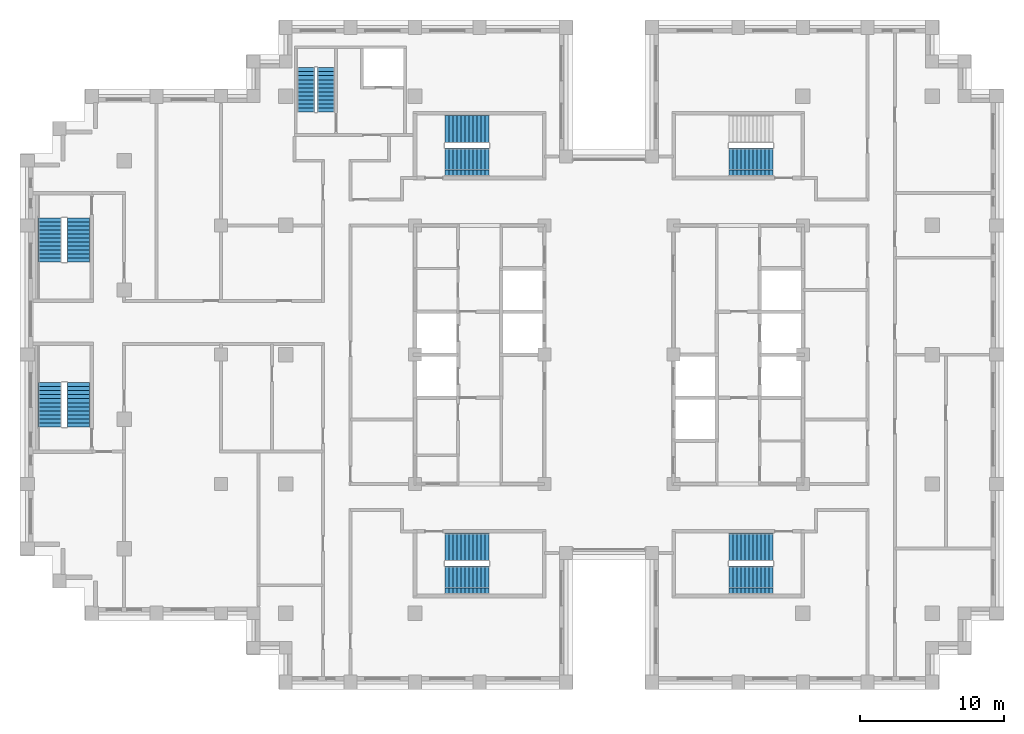
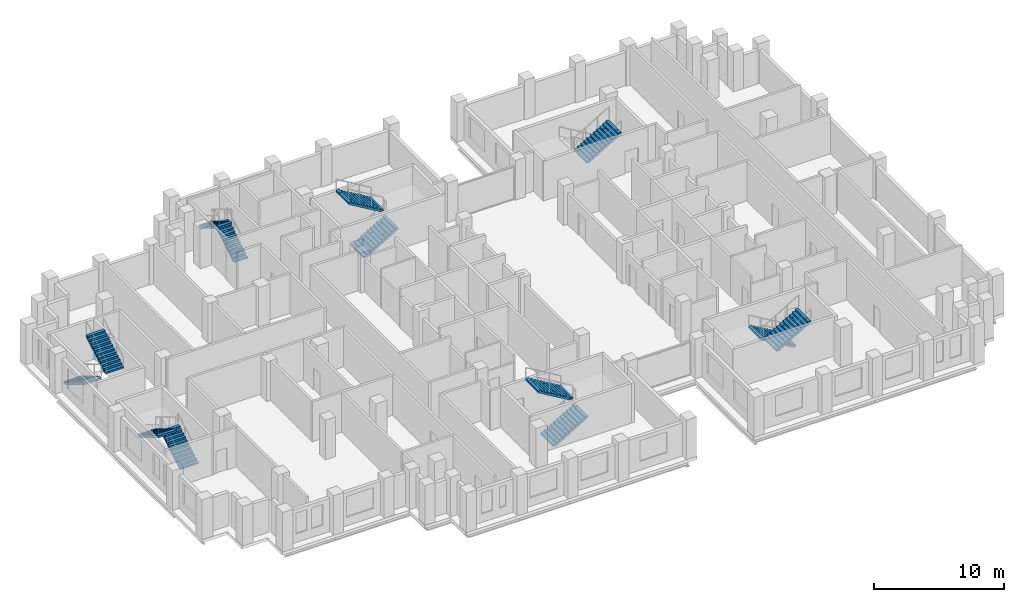
# One storey, part 12 of 15: 13 stair flights, 7 elements without a shape of their own.
"""IFC4 building model written with IfcOpenShell, lengths in metres."""

from ifc_helpers import new_model, si_unit, direction, frame, origin, place, context, subcontext, project, spatial, polyline, outline, extrude, material, type_object, element, aggregate, save


model = new_model("IFC4")

# Units and contexts
model_context = context("Model", 3, precision=1e-05, world=origin(), true_north=direction((0.0, 1.0)))
body_context = subcontext(model_context, "Body", "Model", "MODEL_VIEW")
ifc_project = project(units=[si_unit("LENGTHUNIT", "METRE"), si_unit("AREAUNIT", "SQUARE_METRE"), si_unit("VOLUMEUNIT", "CUBIC_METRE"), si_unit("PLANEANGLEUNIT", "RADIAN"), si_unit("MASSUNIT", "GRAM", prefix="KILO")], contexts=[model_context])

# Site, building, storey
site_placement = place(None, origin())
site = spatial("IfcSite", under=ifc_project, at=site_placement, CompositionType="ELEMENT")
building_placement = place(site_placement, origin())
building = spatial("IfcBuilding", under=site, at=building_placement, Name="Corbelhall Arena Tower", CompositionType="ELEMENT")
storey_placement = place(building_placement, frame((0.0, 0.0, 188.0)))
storey = spatial("IfcBuildingStorey", under=building, at=storey_placement, Name="L38", CompositionType="ELEMENT", Elevation=188.0)

# Stair, stair flights
ifc_material = material(Name="Concrete C40/50", Category="concrete")
stair_type = type_object("IfcStairType", Name="IN-ST-TOWER", PredefinedType="HALF_TURN_STAIR", material=ifc_material)
stair_1_placement = place(storey_placement, origin())
stair_1 = element("IfcStair", 1, at=stair_1_placement, inside=storey, type_object=stair_type, Name="L38 Exit stair ST1", PredefinedType="HALF_TURN_STAIR")
stair_flight_type = type_object("IfcStairFlightType", Name="IN-SFL-RC", PredefinedType="STRAIGHT", material=ifc_material)
stair_flight_1_placement = place(storey_placement, frame((-11.425048828125, 13.39990234375, 0.0), z_axis=(0.0, 0.0, 1.0), x_axis=(1.0, 0.0, 0.0)))
stair_flight_1 = element("IfcStairFlight", 2, at=stair_flight_1_placement, type_object=stair_flight_type, Name="ST1 flight 1", NumberOfRisers=12, NumberOfTreads=11, PredefinedType="STRAIGHT", RiserHeight=0.166666667, TreadLength=0.28, context=body_context, shape_type="SweptSolid", body=[
    extrude(outline(polyline([(0.0, 0.0), (0.0, 0.166748046875), (0.280029296875, 0.166748046875), (0.280029296875, 0.333251953125), (0.56005859375, 0.333251953125), (0.56005859375, 0.5), (0.840087890625, 0.5), (0.840087890625, 0.666748046875), (1.1201171875, 0.666748046875), (1.1201171875, 0.833251953125), (1.39990234375, 0.833251953125), (1.39990234375, 1.0), (1.679931640625, 1.0), (1.679931640625, 1.166748046875), (1.9599609375, 1.166748046875), (1.9599609375, 1.333251953125), (2.239990234375, 1.333251953125), (2.239990234375, 1.5), (2.52001953125, 1.5), (2.52001953125, 1.666748046875), (2.800048828125, 1.666748046875), (2.800048828125, 1.833251953125), (3.080078125, 1.833251953125), (3.080078125, 2.0), (3.080078125, 1.658935546875), (0.29296875, 0.0), (0.0, 0.0)])), frame((0.0, 0.97509765625, 0.0), z_axis=(0.0, -1.0, 0.0), x_axis=(1.0, 0.0, 0.0)), (0.0, 0.0, 1.0), 0.449951171875),
    extrude(outline(polyline([(0.0, 0.0), (0.0, 0.166748046875), (0.280029296875, 0.166748046875), (0.280029296875, 0.333251953125), (0.56005859375, 0.333251953125), (0.56005859375, 0.5), (0.840087890625, 0.5), (0.840087890625, 0.666748046875), (1.1201171875, 0.666748046875), (1.1201171875, 0.833251953125), (1.39990234375, 0.833251953125), (1.39990234375, 1.0), (1.679931640625, 1.0), (1.679931640625, 1.166748046875), (1.9599609375, 1.166748046875), (1.9599609375, 1.333251953125), (2.239990234375, 1.333251953125), (2.239990234375, 1.5), (2.52001953125, 1.5), (2.52001953125, 1.666748046875), (2.800048828125, 1.666748046875), (2.800048828125, 1.833251953125), (3.080078125, 1.833251953125), (3.080078125, 2.0), (3.080078125, 1.658935546875), (0.29296875, 0.0), (0.0, 0.0)])), frame((0.0, 0.52099609375, 0.0), z_axis=(0.0, -1.0, 0.0), x_axis=(1.0, 0.0, 0.0)), (0.0, 0.0, 1.0), 1.0419921875),
    extrude(outline(polyline([(0.0, 0.0), (0.0, 0.166748046875), (0.280029296875, 0.166748046875), (0.280029296875, 0.333251953125), (0.56005859375, 0.333251953125), (0.56005859375, 0.5), (0.840087890625, 0.5), (0.840087890625, 0.666748046875), (1.1201171875, 0.666748046875), (1.1201171875, 0.833251953125), (1.39990234375, 0.833251953125), (1.39990234375, 1.0), (1.679931640625, 1.0), (1.679931640625, 1.166748046875), (1.9599609375, 1.166748046875), (1.9599609375, 1.333251953125), (2.239990234375, 1.333251953125), (2.239990234375, 1.5), (2.52001953125, 1.5), (2.52001953125, 1.666748046875), (2.800048828125, 1.666748046875), (2.800048828125, 1.833251953125), (3.080078125, 1.833251953125), (3.080078125, 2.0), (3.080078125, 1.658935546875), (0.29296875, 0.0), (0.0, 0.0)])), frame((0.0, -0.52490234375, 0.0), z_axis=(0.0, -1.0, 0.0), x_axis=(1.0, 0.0, 0.0)), (0.0, 0.0, 1.0), 0.449951171875),
])
stair_flight_2_placement = place(storey_placement, frame((-8.344970703125, 15.699951171875, 2.0), z_axis=(0.0, 0.0, 1.0), x_axis=(-1.0, 0.0, 0.0)))
stair_flight_2 = element("IfcStairFlight", 3, at=stair_flight_2_placement, type_object=stair_flight_type, Name="ST1 flight 2", NumberOfRisers=12, NumberOfTreads=11, PredefinedType="STRAIGHT", RiserHeight=0.166666667, TreadLength=0.28, context=body_context, shape_type="SweptSolid", body=[
    extrude(outline(polyline([(0.0, 0.0), (0.0, 0.166748046875), (0.280029296875, 0.166748046875), (0.280029296875, 0.333251953125), (0.56005859375, 0.333251953125), (0.56005859375, 0.5), (0.840087890625, 0.5), (0.840087890625, 0.666748046875), (1.1201171875, 0.666748046875), (1.1201171875, 0.833251953125), (1.39990234375, 0.833251953125), (1.39990234375, 1.0), (1.679931640625, 1.0), (1.679931640625, 1.166748046875), (1.9599609375, 1.166748046875), (1.9599609375, 1.333251953125), (2.239990234375, 1.333251953125), (2.239990234375, 1.5), (2.52001953125, 1.5), (2.52001953125, 1.666748046875), (2.800048828125, 1.666748046875), (2.800048828125, 1.833251953125), (3.080078125, 1.833251953125), (3.080078125, 2.0), (3.080078125, 1.658935546875), (0.29296875, 0.0), (0.0, 0.0)])), frame((0.0, 0.97509765625, 0.0), z_axis=(0.0, -1.0, 0.0), x_axis=(1.0, 0.0, 0.0)), (0.0, 0.0, 1.0), 0.449951171875),
    extrude(outline(polyline([(0.0, 0.0), (0.0, 0.166748046875), (0.280029296875, 0.166748046875), (0.280029296875, 0.333251953125), (0.56005859375, 0.333251953125), (0.56005859375, 0.5), (0.840087890625, 0.5), (0.840087890625, 0.666748046875), (1.1201171875, 0.666748046875), (1.1201171875, 0.833251953125), (1.39990234375, 0.833251953125), (1.39990234375, 1.0), (1.679931640625, 1.0), (1.679931640625, 1.166748046875), (1.9599609375, 1.166748046875), (1.9599609375, 1.333251953125), (2.239990234375, 1.333251953125), (2.239990234375, 1.5), (2.52001953125, 1.5), (2.52001953125, 1.666748046875), (2.800048828125, 1.666748046875), (2.800048828125, 1.833251953125), (3.080078125, 1.833251953125), (3.080078125, 2.0), (3.080078125, 1.658935546875), (0.29296875, 0.0), (0.0, 0.0)])), frame((0.0, 0.52099609375, 0.0), z_axis=(0.0, -1.0, 0.0), x_axis=(1.0, 0.0, 0.0)), (0.0, 0.0, 1.0), 1.0419921875),
    extrude(outline(polyline([(0.0, 0.0), (0.0, 0.166748046875), (0.280029296875, 0.166748046875), (0.280029296875, 0.333251953125), (0.56005859375, 0.333251953125), (0.56005859375, 0.5), (0.840087890625, 0.5), (0.840087890625, 0.666748046875), (1.1201171875, 0.666748046875), (1.1201171875, 0.833251953125), (1.39990234375, 0.833251953125), (1.39990234375, 1.0), (1.679931640625, 1.0), (1.679931640625, 1.166748046875), (1.9599609375, 1.166748046875), (1.9599609375, 1.333251953125), (2.239990234375, 1.333251953125), (2.239990234375, 1.5), (2.52001953125, 1.5), (2.52001953125, 1.666748046875), (2.800048828125, 1.666748046875), (2.800048828125, 1.833251953125), (3.080078125, 1.833251953125), (3.080078125, 2.0), (3.080078125, 1.658935546875), (0.29296875, 0.0), (0.0, 0.0)])), frame((0.0, -0.52490234375, 0.0), z_axis=(0.0, -1.0, 0.0), x_axis=(1.0, 0.0, 0.0)), (0.0, 0.0, 1.0), 0.449951171875),
])
aggregate(stair_1, [stair_flight_1, stair_flight_2])

stair_2_placement = place(storey_placement, origin())
stair_2 = element("IfcStair", 4, at=stair_2_placement, inside=storey, type_object=stair_type, Name="L38 Exit stair ST2", PredefinedType="HALF_TURN_STAIR")
stair_flight_3_placement = place(storey_placement, frame((-11.425048828125, -15.699951171875, 0.0), z_axis=(0.0, 0.0, 1.0), x_axis=(1.0, 0.0, 0.0)))
stair_flight_3 = element("IfcStairFlight", 5, at=stair_flight_3_placement, type_object=stair_flight_type, Name="ST2 flight 1", NumberOfRisers=12, NumberOfTreads=11, PredefinedType="STRAIGHT", RiserHeight=0.166666667, TreadLength=0.28, context=body_context, shape_type="SweptSolid", body=[
    extrude(outline(polyline([(0.0, 0.0), (0.0, 0.166748046875), (0.280029296875, 0.166748046875), (0.280029296875, 0.333251953125), (0.56005859375, 0.333251953125), (0.56005859375, 0.5), (0.840087890625, 0.5), (0.840087890625, 0.666748046875), (1.1201171875, 0.666748046875), (1.1201171875, 0.833251953125), (1.39990234375, 0.833251953125), (1.39990234375, 1.0), (1.679931640625, 1.0), (1.679931640625, 1.166748046875), (1.9599609375, 1.166748046875), (1.9599609375, 1.333251953125), (2.239990234375, 1.333251953125), (2.239990234375, 1.5), (2.52001953125, 1.5), (2.52001953125, 1.666748046875), (2.800048828125, 1.666748046875), (2.800048828125, 1.833251953125), (3.080078125, 1.833251953125), (3.080078125, 2.0), (3.080078125, 1.658935546875), (0.29296875, 0.0), (0.0, 0.0)])), frame((0.0, 0.97509765625, 0.0), z_axis=(0.0, -1.0, 0.0), x_axis=(1.0, 0.0, 0.0)), (0.0, 0.0, 1.0), 0.449951171875),
    extrude(outline(polyline([(0.0, 0.0), (0.0, 0.166748046875), (0.280029296875, 0.166748046875), (0.280029296875, 0.333251953125), (0.56005859375, 0.333251953125), (0.56005859375, 0.5), (0.840087890625, 0.5), (0.840087890625, 0.666748046875), (1.1201171875, 0.666748046875), (1.1201171875, 0.833251953125), (1.39990234375, 0.833251953125), (1.39990234375, 1.0), (1.679931640625, 1.0), (1.679931640625, 1.166748046875), (1.9599609375, 1.166748046875), (1.9599609375, 1.333251953125), (2.239990234375, 1.333251953125), (2.239990234375, 1.5), (2.52001953125, 1.5), (2.52001953125, 1.666748046875), (2.800048828125, 1.666748046875), (2.800048828125, 1.833251953125), (3.080078125, 1.833251953125), (3.080078125, 2.0), (3.080078125, 1.658935546875), (0.29296875, 0.0), (0.0, 0.0)])), frame((0.0, 0.52099609375, 0.0), z_axis=(0.0, -1.0, 0.0), x_axis=(1.0, 0.0, 0.0)), (0.0, 0.0, 1.0), 1.0419921875),
    extrude(outline(polyline([(0.0, 0.0), (0.0, 0.166748046875), (0.280029296875, 0.166748046875), (0.280029296875, 0.333251953125), (0.56005859375, 0.333251953125), (0.56005859375, 0.5), (0.840087890625, 0.5), (0.840087890625, 0.666748046875), (1.1201171875, 0.666748046875), (1.1201171875, 0.833251953125), (1.39990234375, 0.833251953125), (1.39990234375, 1.0), (1.679931640625, 1.0), (1.679931640625, 1.166748046875), (1.9599609375, 1.166748046875), (1.9599609375, 1.333251953125), (2.239990234375, 1.333251953125), (2.239990234375, 1.5), (2.52001953125, 1.5), (2.52001953125, 1.666748046875), (2.800048828125, 1.666748046875), (2.800048828125, 1.833251953125), (3.080078125, 1.833251953125), (3.080078125, 2.0), (3.080078125, 1.658935546875), (0.29296875, 0.0), (0.0, 0.0)])), frame((0.0, -0.52490234375, 0.0), z_axis=(0.0, -1.0, 0.0), x_axis=(1.0, 0.0, 0.0)), (0.0, 0.0, 1.0), 0.449951171875),
])
stair_flight_4_placement = place(storey_placement, frame((-8.344970703125, -13.39990234375, 2.0), z_axis=(0.0, 0.0, 1.0), x_axis=(-1.0, 0.0, 0.0)))
stair_flight_4 = element("IfcStairFlight", 6, at=stair_flight_4_placement, type_object=stair_flight_type, Name="ST2 flight 2", NumberOfRisers=12, NumberOfTreads=11, PredefinedType="STRAIGHT", RiserHeight=0.166666667, TreadLength=0.28, context=body_context, shape_type="SweptSolid", body=[
    extrude(outline(polyline([(0.0, 0.0), (0.0, 0.166748046875), (0.280029296875, 0.166748046875), (0.280029296875, 0.333251953125), (0.56005859375, 0.333251953125), (0.56005859375, 0.5), (0.840087890625, 0.5), (0.840087890625, 0.666748046875), (1.1201171875, 0.666748046875), (1.1201171875, 0.833251953125), (1.39990234375, 0.833251953125), (1.39990234375, 1.0), (1.679931640625, 1.0), (1.679931640625, 1.166748046875), (1.9599609375, 1.166748046875), (1.9599609375, 1.333251953125), (2.239990234375, 1.333251953125), (2.239990234375, 1.5), (2.52001953125, 1.5), (2.52001953125, 1.666748046875), (2.800048828125, 1.666748046875), (2.800048828125, 1.833251953125), (3.080078125, 1.833251953125), (3.080078125, 2.0), (3.080078125, 1.658935546875), (0.29296875, 0.0), (0.0, 0.0)])), frame((0.0, 0.97509765625, 0.0), z_axis=(0.0, -1.0, 0.0), x_axis=(1.0, 0.0, 0.0)), (0.0, 0.0, 1.0), 0.449951171875),
    extrude(outline(polyline([(0.0, 0.0), (0.0, 0.166748046875), (0.280029296875, 0.166748046875), (0.280029296875, 0.333251953125), (0.56005859375, 0.333251953125), (0.56005859375, 0.5), (0.840087890625, 0.5), (0.840087890625, 0.666748046875), (1.1201171875, 0.666748046875), (1.1201171875, 0.833251953125), (1.39990234375, 0.833251953125), (1.39990234375, 1.0), (1.679931640625, 1.0), (1.679931640625, 1.166748046875), (1.9599609375, 1.166748046875), (1.9599609375, 1.333251953125), (2.239990234375, 1.333251953125), (2.239990234375, 1.5), (2.52001953125, 1.5), (2.52001953125, 1.666748046875), (2.800048828125, 1.666748046875), (2.800048828125, 1.833251953125), (3.080078125, 1.833251953125), (3.080078125, 2.0), (3.080078125, 1.658935546875), (0.29296875, 0.0), (0.0, 0.0)])), frame((0.0, 0.52099609375, 0.0), z_axis=(0.0, -1.0, 0.0), x_axis=(1.0, 0.0, 0.0)), (0.0, 0.0, 1.0), 1.0419921875),
    extrude(outline(polyline([(0.0, 0.0), (0.0, 0.166748046875), (0.280029296875, 0.166748046875), (0.280029296875, 0.333251953125), (0.56005859375, 0.333251953125), (0.56005859375, 0.5), (0.840087890625, 0.5), (0.840087890625, 0.666748046875), (1.1201171875, 0.666748046875), (1.1201171875, 0.833251953125), (1.39990234375, 0.833251953125), (1.39990234375, 1.0), (1.679931640625, 1.0), (1.679931640625, 1.166748046875), (1.9599609375, 1.166748046875), (1.9599609375, 1.333251953125), (2.239990234375, 1.333251953125), (2.239990234375, 1.5), (2.52001953125, 1.5), (2.52001953125, 1.666748046875), (2.800048828125, 1.666748046875), (2.800048828125, 1.833251953125), (3.080078125, 1.833251953125), (3.080078125, 2.0), (3.080078125, 1.658935546875), (0.29296875, 0.0), (0.0, 0.0)])), frame((0.0, -0.52490234375, 0.0), z_axis=(0.0, -1.0, 0.0), x_axis=(1.0, 0.0, 0.0)), (0.0, 0.0, 1.0), 0.449951171875),
])
aggregate(stair_2, [stair_flight_3, stair_flight_4])

# Stair, stair flight
stair_3_placement = place(storey_placement, origin())
stair_3 = element("IfcStair", 7, at=stair_3_placement, inside=storey, type_object=stair_type, Name="L38 Exit stair ST3", PredefinedType="HALF_TURN_STAIR")
stair_flight_5_placement = place(storey_placement, frame((8.344970703125, 13.39990234375, 2.0), z_axis=(0.0, 0.0, 1.0), x_axis=(1.0, 0.0, 0.0)))
stair_flight_5 = element("IfcStairFlight", 8, at=stair_flight_5_placement, type_object=stair_flight_type, Name="ST3 flight 2", NumberOfRisers=12, NumberOfTreads=11, PredefinedType="STRAIGHT", RiserHeight=0.166666667, TreadLength=0.28, context=body_context, shape_type="SweptSolid", body=[
    extrude(outline(polyline([(0.0, 0.0), (0.0, 0.166748046875), (0.280029296875, 0.166748046875), (0.280029296875, 0.333251953125), (0.56005859375, 0.333251953125), (0.56005859375, 0.5), (0.840087890625, 0.5), (0.840087890625, 0.666748046875), (1.1201171875, 0.666748046875), (1.1201171875, 0.833251953125), (1.39990234375, 0.833251953125), (1.39990234375, 1.0), (1.679931640625, 1.0), (1.679931640625, 1.166748046875), (1.9599609375, 1.166748046875), (1.9599609375, 1.333251953125), (2.239990234375, 1.333251953125), (2.239990234375, 1.5), (2.52001953125, 1.5), (2.52001953125, 1.666748046875), (2.800048828125, 1.666748046875), (2.800048828125, 1.833251953125), (3.080078125, 1.833251953125), (3.080078125, 2.0), (3.080078125, 1.658935546875), (0.29296875, 0.0), (0.0, 0.0)])), frame((0.0, 0.97509765625, 0.0), z_axis=(0.0, -1.0, 0.0), x_axis=(1.0, 0.0, 0.0)), (0.0, 0.0, 1.0), 0.449951171875),
    extrude(outline(polyline([(0.0, 0.0), (0.0, 0.166748046875), (0.280029296875, 0.166748046875), (0.280029296875, 0.333251953125), (0.56005859375, 0.333251953125), (0.56005859375, 0.5), (0.840087890625, 0.5), (0.840087890625, 0.666748046875), (1.1201171875, 0.666748046875), (1.1201171875, 0.833251953125), (1.39990234375, 0.833251953125), (1.39990234375, 1.0), (1.679931640625, 1.0), (1.679931640625, 1.166748046875), (1.9599609375, 1.166748046875), (1.9599609375, 1.333251953125), (2.239990234375, 1.333251953125), (2.239990234375, 1.5), (2.52001953125, 1.5), (2.52001953125, 1.666748046875), (2.800048828125, 1.666748046875), (2.800048828125, 1.833251953125), (3.080078125, 1.833251953125), (3.080078125, 2.0), (3.080078125, 1.658935546875), (0.29296875, 0.0), (0.0, 0.0)])), frame((0.0, 0.52099609375, 0.0), z_axis=(0.0, -1.0, 0.0), x_axis=(1.0, 0.0, 0.0)), (0.0, 0.0, 1.0), 1.0419921875),
    extrude(outline(polyline([(0.0, 0.0), (0.0, 0.166748046875), (0.280029296875, 0.166748046875), (0.280029296875, 0.333251953125), (0.56005859375, 0.333251953125), (0.56005859375, 0.5), (0.840087890625, 0.5), (0.840087890625, 0.666748046875), (1.1201171875, 0.666748046875), (1.1201171875, 0.833251953125), (1.39990234375, 0.833251953125), (1.39990234375, 1.0), (1.679931640625, 1.0), (1.679931640625, 1.166748046875), (1.9599609375, 1.166748046875), (1.9599609375, 1.333251953125), (2.239990234375, 1.333251953125), (2.239990234375, 1.5), (2.52001953125, 1.5), (2.52001953125, 1.666748046875), (2.800048828125, 1.666748046875), (2.800048828125, 1.833251953125), (3.080078125, 1.833251953125), (3.080078125, 2.0), (3.080078125, 1.658935546875), (0.29296875, 0.0), (0.0, 0.0)])), frame((0.0, -0.52490234375, 0.0), z_axis=(0.0, -1.0, 0.0), x_axis=(1.0, 0.0, 0.0)), (0.0, 0.0, 1.0), 0.449951171875),
])
aggregate(stair_3, [stair_flight_5])

# Stair, stair flights
stair_4_placement = place(storey_placement, origin())
stair_4 = element("IfcStair", 9, at=stair_4_placement, inside=storey, type_object=stair_type, Name="L38 Exit stair ST4", PredefinedType="HALF_TURN_STAIR")
stair_flight_6_placement = place(storey_placement, frame((11.425048828125, -13.39990234375, 0.0), z_axis=(0.0, 0.0, 1.0), x_axis=(-1.0, 0.0, 0.0)))
stair_flight_6 = element("IfcStairFlight", 10, at=stair_flight_6_placement, type_object=stair_flight_type, Name="ST4 flight 1", NumberOfRisers=12, NumberOfTreads=11, PredefinedType="STRAIGHT", RiserHeight=0.166666667, TreadLength=0.28, context=body_context, shape_type="SweptSolid", body=[
    extrude(outline(polyline([(0.0, 0.0), (0.0, 0.166748046875), (0.280029296875, 0.166748046875), (0.280029296875, 0.333251953125), (0.56005859375, 0.333251953125), (0.56005859375, 0.5), (0.840087890625, 0.5), (0.840087890625, 0.666748046875), (1.1201171875, 0.666748046875), (1.1201171875, 0.833251953125), (1.39990234375, 0.833251953125), (1.39990234375, 1.0), (1.679931640625, 1.0), (1.679931640625, 1.166748046875), (1.9599609375, 1.166748046875), (1.9599609375, 1.333251953125), (2.239990234375, 1.333251953125), (2.239990234375, 1.5), (2.52001953125, 1.5), (2.52001953125, 1.666748046875), (2.800048828125, 1.666748046875), (2.800048828125, 1.833251953125), (3.080078125, 1.833251953125), (3.080078125, 2.0), (3.080078125, 1.658935546875), (0.29296875, 0.0), (0.0, 0.0)])), frame((0.0, 0.97509765625, 0.0), z_axis=(0.0, -1.0, 0.0), x_axis=(1.0, 0.0, 0.0)), (0.0, 0.0, 1.0), 0.449951171875),
    extrude(outline(polyline([(0.0, 0.0), (0.0, 0.166748046875), (0.280029296875, 0.166748046875), (0.280029296875, 0.333251953125), (0.56005859375, 0.333251953125), (0.56005859375, 0.5), (0.840087890625, 0.5), (0.840087890625, 0.666748046875), (1.1201171875, 0.666748046875), (1.1201171875, 0.833251953125), (1.39990234375, 0.833251953125), (1.39990234375, 1.0), (1.679931640625, 1.0), (1.679931640625, 1.166748046875), (1.9599609375, 1.166748046875), (1.9599609375, 1.333251953125), (2.239990234375, 1.333251953125), (2.239990234375, 1.5), (2.52001953125, 1.5), (2.52001953125, 1.666748046875), (2.800048828125, 1.666748046875), (2.800048828125, 1.833251953125), (3.080078125, 1.833251953125), (3.080078125, 2.0), (3.080078125, 1.658935546875), (0.29296875, 0.0), (0.0, 0.0)])), frame((0.0, 0.52099609375, 0.0), z_axis=(0.0, -1.0, 0.0), x_axis=(1.0, 0.0, 0.0)), (0.0, 0.0, 1.0), 1.0419921875),
    extrude(outline(polyline([(0.0, 0.0), (0.0, 0.166748046875), (0.280029296875, 0.166748046875), (0.280029296875, 0.333251953125), (0.56005859375, 0.333251953125), (0.56005859375, 0.5), (0.840087890625, 0.5), (0.840087890625, 0.666748046875), (1.1201171875, 0.666748046875), (1.1201171875, 0.833251953125), (1.39990234375, 0.833251953125), (1.39990234375, 1.0), (1.679931640625, 1.0), (1.679931640625, 1.166748046875), (1.9599609375, 1.166748046875), (1.9599609375, 1.333251953125), (2.239990234375, 1.333251953125), (2.239990234375, 1.5), (2.52001953125, 1.5), (2.52001953125, 1.666748046875), (2.800048828125, 1.666748046875), (2.800048828125, 1.833251953125), (3.080078125, 1.833251953125), (3.080078125, 2.0), (3.080078125, 1.658935546875), (0.29296875, 0.0), (0.0, 0.0)])), frame((0.0, -0.52490234375, 0.0), z_axis=(0.0, -1.0, 0.0), x_axis=(1.0, 0.0, 0.0)), (0.0, 0.0, 1.0), 0.449951171875),
])
stair_flight_7_placement = place(storey_placement, frame((8.344970703125, -15.699951171875, 2.0), z_axis=(0.0, 0.0, 1.0), x_axis=(1.0, 0.0, 0.0)))
stair_flight_7 = element("IfcStairFlight", 11, at=stair_flight_7_placement, type_object=stair_flight_type, Name="ST4 flight 2", NumberOfRisers=12, NumberOfTreads=11, PredefinedType="STRAIGHT", RiserHeight=0.166666667, TreadLength=0.28, context=body_context, shape_type="SweptSolid", body=[
    extrude(outline(polyline([(0.0, 0.0), (0.0, 0.166748046875), (0.280029296875, 0.166748046875), (0.280029296875, 0.333251953125), (0.56005859375, 0.333251953125), (0.56005859375, 0.5), (0.840087890625, 0.5), (0.840087890625, 0.666748046875), (1.1201171875, 0.666748046875), (1.1201171875, 0.833251953125), (1.39990234375, 0.833251953125), (1.39990234375, 1.0), (1.679931640625, 1.0), (1.679931640625, 1.166748046875), (1.9599609375, 1.166748046875), (1.9599609375, 1.333251953125), (2.239990234375, 1.333251953125), (2.239990234375, 1.5), (2.52001953125, 1.5), (2.52001953125, 1.666748046875), (2.800048828125, 1.666748046875), (2.800048828125, 1.833251953125), (3.080078125, 1.833251953125), (3.080078125, 2.0), (3.080078125, 1.658935546875), (0.29296875, 0.0), (0.0, 0.0)])), frame((0.0, 0.97509765625, 0.0), z_axis=(0.0, -1.0, 0.0), x_axis=(1.0, 0.0, 0.0)), (0.0, 0.0, 1.0), 0.449951171875),
    extrude(outline(polyline([(0.0, 0.0), (0.0, 0.166748046875), (0.280029296875, 0.166748046875), (0.280029296875, 0.333251953125), (0.56005859375, 0.333251953125), (0.56005859375, 0.5), (0.840087890625, 0.5), (0.840087890625, 0.666748046875), (1.1201171875, 0.666748046875), (1.1201171875, 0.833251953125), (1.39990234375, 0.833251953125), (1.39990234375, 1.0), (1.679931640625, 1.0), (1.679931640625, 1.166748046875), (1.9599609375, 1.166748046875), (1.9599609375, 1.333251953125), (2.239990234375, 1.333251953125), (2.239990234375, 1.5), (2.52001953125, 1.5), (2.52001953125, 1.666748046875), (2.800048828125, 1.666748046875), (2.800048828125, 1.833251953125), (3.080078125, 1.833251953125), (3.080078125, 2.0), (3.080078125, 1.658935546875), (0.29296875, 0.0), (0.0, 0.0)])), frame((0.0, 0.52099609375, 0.0), z_axis=(0.0, -1.0, 0.0), x_axis=(1.0, 0.0, 0.0)), (0.0, 0.0, 1.0), 1.0419921875),
    extrude(outline(polyline([(0.0, 0.0), (0.0, 0.166748046875), (0.280029296875, 0.166748046875), (0.280029296875, 0.333251953125), (0.56005859375, 0.333251953125), (0.56005859375, 0.5), (0.840087890625, 0.5), (0.840087890625, 0.666748046875), (1.1201171875, 0.666748046875), (1.1201171875, 0.833251953125), (1.39990234375, 0.833251953125), (1.39990234375, 1.0), (1.679931640625, 1.0), (1.679931640625, 1.166748046875), (1.9599609375, 1.166748046875), (1.9599609375, 1.333251953125), (2.239990234375, 1.333251953125), (2.239990234375, 1.5), (2.52001953125, 1.5), (2.52001953125, 1.666748046875), (2.800048828125, 1.666748046875), (2.800048828125, 1.833251953125), (3.080078125, 1.833251953125), (3.080078125, 2.0), (3.080078125, 1.658935546875), (0.29296875, 0.0), (0.0, 0.0)])), frame((0.0, -0.52490234375, 0.0), z_axis=(0.0, -1.0, 0.0), x_axis=(1.0, 0.0, 0.0)), (0.0, 0.0, 1.0), 0.449951171875),
])
aggregate(stair_4, [stair_flight_6, stair_flight_7])

stair_5_placement = place(storey_placement, origin())
stair_5 = element("IfcStair", 12, at=stair_5_placement, inside=storey, type_object=stair_type, Name="L38 Exit stair SC1", PredefinedType="HALF_TURN_STAIR")
stair_flight_8_placement = place(storey_placement, frame((-38.89990234375, 9.52490234375, 0.0), z_axis=(0.0, 0.0, 1.0), x_axis=(0.0, -1.0, 0.0)))
stair_flight_8 = element("IfcStairFlight", 13, at=stair_flight_8_placement, type_object=stair_flight_type, Name="SC1 flight 1", NumberOfRisers=12, NumberOfTreads=11, PredefinedType="STRAIGHT", RiserHeight=0.166666667, TreadLength=0.28, context=body_context, shape_type="SweptSolid", body=[
    extrude(outline(polyline([(0.0, 0.0), (0.0, 0.166748046875), (0.280029296875, 0.166748046875), (0.280029296875, 0.333251953125), (0.56005859375, 0.333251953125), (0.56005859375, 0.5), (0.840087890625, 0.5), (0.840087890625, 0.666748046875), (1.1201171875, 0.666748046875), (1.1201171875, 0.833251953125), (1.39990234375, 0.833251953125), (1.39990234375, 1.0), (1.679931640625, 1.0), (1.679931640625, 1.166748046875), (1.9599609375, 1.166748046875), (1.9599609375, 1.333251953125), (2.239990234375, 1.333251953125), (2.239990234375, 1.5), (2.52001953125, 1.5), (2.52001953125, 1.666748046875), (2.800048828125, 1.666748046875), (2.800048828125, 1.833251953125), (3.080078125, 1.833251953125), (3.080078125, 2.0), (3.080078125, 1.658935546875), (0.29296875, 0.0), (0.0, 0.0)])), frame((0.0, 0.800048828125, 0.0), z_axis=(0.0, -1.0, 0.0), x_axis=(1.0, 0.0, 0.0)), (0.0, 0.0, 1.0), 1.60009765625),
])
stair_flight_9_placement = place(storey_placement, frame((-36.925048828125, 6.445068359375, 2.0), z_axis=(0.0, 0.0, 1.0), x_axis=(0.0, 1.0, 0.0)))
stair_flight_9 = element("IfcStairFlight", 14, at=stair_flight_9_placement, type_object=stair_flight_type, Name="SC1 flight 2", NumberOfRisers=12, NumberOfTreads=11, PredefinedType="STRAIGHT", RiserHeight=0.166666667, TreadLength=0.28, context=body_context, shape_type="SweptSolid", body=[
    extrude(outline(polyline([(0.0, 0.0), (0.0, 0.166748046875), (0.280029296875, 0.166748046875), (0.280029296875, 0.333251953125), (0.56005859375, 0.333251953125), (0.56005859375, 0.5), (0.840087890625, 0.5), (0.840087890625, 0.666748046875), (1.1201171875, 0.666748046875), (1.1201171875, 0.833251953125), (1.39990234375, 0.833251953125), (1.39990234375, 1.0), (1.679931640625, 1.0), (1.679931640625, 1.166748046875), (1.9599609375, 1.166748046875), (1.9599609375, 1.333251953125), (2.239990234375, 1.333251953125), (2.239990234375, 1.5), (2.52001953125, 1.5), (2.52001953125, 1.666748046875), (2.800048828125, 1.666748046875), (2.800048828125, 1.833251953125), (3.080078125, 1.833251953125), (3.080078125, 2.0), (3.080078125, 1.658935546875), (0.29296875, 0.0), (0.0, 0.0)])), frame((0.0, 0.800048828125, 0.0), z_axis=(0.0, -1.0, 0.0), x_axis=(1.0, 0.0, 0.0)), (0.0, 0.0, 1.0), 1.60009765625),
])
aggregate(stair_5, [stair_flight_8, stair_flight_9])

stair_6_placement = place(storey_placement, origin())
stair_6 = element("IfcStair", 15, at=stair_6_placement, inside=storey, type_object=stair_type, Name="L38 Exit stair SC2", PredefinedType="HALF_TURN_STAIR")
stair_flight_10_placement = place(storey_placement, frame((-36.925048828125, -5.02490234375, 0.0), z_axis=(0.0, 0.0, 1.0), x_axis=(0.0, 1.0, 0.0)))
stair_flight_10 = element("IfcStairFlight", 16, at=stair_flight_10_placement, type_object=stair_flight_type, Name="SC2 flight 1", NumberOfRisers=12, NumberOfTreads=11, PredefinedType="STRAIGHT", RiserHeight=0.166666667, TreadLength=0.28, context=body_context, shape_type="SweptSolid", body=[
    extrude(outline(polyline([(0.0, 0.0), (0.0, 0.166748046875), (0.280029296875, 0.166748046875), (0.280029296875, 0.333251953125), (0.56005859375, 0.333251953125), (0.56005859375, 0.5), (0.840087890625, 0.5), (0.840087890625, 0.666748046875), (1.1201171875, 0.666748046875), (1.1201171875, 0.833251953125), (1.39990234375, 0.833251953125), (1.39990234375, 1.0), (1.679931640625, 1.0), (1.679931640625, 1.166748046875), (1.9599609375, 1.166748046875), (1.9599609375, 1.333251953125), (2.239990234375, 1.333251953125), (2.239990234375, 1.5), (2.52001953125, 1.5), (2.52001953125, 1.666748046875), (2.800048828125, 1.666748046875), (2.800048828125, 1.833251953125), (3.080078125, 1.833251953125), (3.080078125, 2.0), (3.080078125, 1.658935546875), (0.29296875, 0.0), (0.0, 0.0)])), frame((0.0, 0.800048828125, 0.0), z_axis=(0.0, -1.0, 0.0), x_axis=(1.0, 0.0, 0.0)), (0.0, 0.0, 1.0), 1.60009765625),
])
stair_flight_11_placement = place(storey_placement, frame((-38.89990234375, -1.945068359375, 2.0), z_axis=(0.0, 0.0, 1.0), x_axis=(0.0, -1.0, 0.0)))
stair_flight_11 = element("IfcStairFlight", 17, at=stair_flight_11_placement, type_object=stair_flight_type, Name="SC2 flight 2", NumberOfRisers=12, NumberOfTreads=11, PredefinedType="STRAIGHT", RiserHeight=0.166666667, TreadLength=0.28, context=body_context, shape_type="SweptSolid", body=[
    extrude(outline(polyline([(0.0, 0.0), (0.0, 0.166748046875), (0.280029296875, 0.166748046875), (0.280029296875, 0.333251953125), (0.56005859375, 0.333251953125), (0.56005859375, 0.5), (0.840087890625, 0.5), (0.840087890625, 0.666748046875), (1.1201171875, 0.666748046875), (1.1201171875, 0.833251953125), (1.39990234375, 0.833251953125), (1.39990234375, 1.0), (1.679931640625, 1.0), (1.679931640625, 1.166748046875), (1.9599609375, 1.166748046875), (1.9599609375, 1.333251953125), (2.239990234375, 1.333251953125), (2.239990234375, 1.5), (2.52001953125, 1.5), (2.52001953125, 1.666748046875), (2.800048828125, 1.666748046875), (2.800048828125, 1.833251953125), (3.080078125, 1.833251953125), (3.080078125, 2.0), (3.080078125, 1.658935546875), (0.29296875, 0.0), (0.0, 0.0)])), frame((0.0, 0.800048828125, 0.0), z_axis=(0.0, -1.0, 0.0), x_axis=(1.0, 0.0, 0.0)), (0.0, 0.0, 1.0), 1.60009765625),
])
aggregate(stair_6, [stair_flight_10, stair_flight_11])

stair_7_placement = place(storey_placement, origin())
stair_7 = element("IfcStair", 18, at=stair_7_placement, inside=storey, type_object=stair_type, Name="L38 Exit stair ST5", PredefinedType="HALF_TURN_STAIR")
stair_flight_12_placement = place(storey_placement, frame((-19.695068359375, 16.89990234375, 0.0), z_axis=(0.0, 0.0, 1.0), x_axis=(0.0, 1.0, 0.0)))
stair_flight_12 = element("IfcStairFlight", 19, at=stair_flight_12_placement, type_object=stair_flight_type, Name="ST5 flight 1", NumberOfRisers=12, NumberOfTreads=11, PredefinedType="STRAIGHT", RiserHeight=0.166666667, TreadLength=0.28, context=body_context, shape_type="SweptSolid", body=[
    extrude(outline(polyline([(0.0, 0.0), (0.0, 0.166748046875), (0.280029296875, 0.166748046875), (0.280029296875, 0.333251953125), (0.56005859375, 0.333251953125), (0.56005859375, 0.5), (0.840087890625, 0.5), (0.840087890625, 0.666748046875), (1.1201171875, 0.666748046875), (1.1201171875, 0.833251953125), (1.39990234375, 0.833251953125), (1.39990234375, 1.0), (1.679931640625, 1.0), (1.679931640625, 1.166748046875), (1.9599609375, 1.166748046875), (1.9599609375, 1.333251953125), (2.239990234375, 1.333251953125), (2.239990234375, 1.5), (2.52001953125, 1.5), (2.52001953125, 1.666748046875), (2.800048828125, 1.666748046875), (2.800048828125, 1.833251953125), (3.080078125, 1.833251953125), (3.080078125, 2.0), (3.080078125, 1.658935546875), (0.29296875, 0.0), (0.0, 0.0)])), frame((0.0, 0.60009765625, 0.0), z_axis=(0.0, -1.0, 0.0), x_axis=(1.0, 0.0, 0.0)), (0.0, 0.0, 1.0), 1.199951171875),
])
stair_flight_13_placement = place(storey_placement, frame((-21.094970703125, 19.97998046875, 2.0), z_axis=(0.0, 0.0, 1.0), x_axis=(0.0, -1.0, 0.0)))
stair_flight_13 = element("IfcStairFlight", 20, at=stair_flight_13_placement, type_object=stair_flight_type, Name="ST5 flight 2", NumberOfRisers=12, NumberOfTreads=11, PredefinedType="STRAIGHT", RiserHeight=0.166666667, TreadLength=0.28, context=body_context, shape_type="SweptSolid", body=[
    extrude(outline(polyline([(0.0, 0.0), (0.0, 0.166748046875), (0.280029296875, 0.166748046875), (0.280029296875, 0.333251953125), (0.56005859375, 0.333251953125), (0.56005859375, 0.5), (0.840087890625, 0.5), (0.840087890625, 0.666748046875), (1.1201171875, 0.666748046875), (1.1201171875, 0.833251953125), (1.39990234375, 0.833251953125), (1.39990234375, 1.0), (1.679931640625, 1.0), (1.679931640625, 1.166748046875), (1.9599609375, 1.166748046875), (1.9599609375, 1.333251953125), (2.239990234375, 1.333251953125), (2.239990234375, 1.5), (2.52001953125, 1.5), (2.52001953125, 1.666748046875), (2.800048828125, 1.666748046875), (2.800048828125, 1.833251953125), (3.080078125, 1.833251953125), (3.080078125, 2.0), (3.080078125, 1.658935546875), (0.29296875, 0.0), (0.0, 0.0)])), frame((0.0, 0.60009765625, 0.0), z_axis=(0.0, -1.0, 0.0), x_axis=(1.0, 0.0, 0.0)), (0.0, 0.0, 1.0), 1.199951171875),
])
aggregate(stair_7, [stair_flight_12, stair_flight_13])

save(model, "model.ifc")
